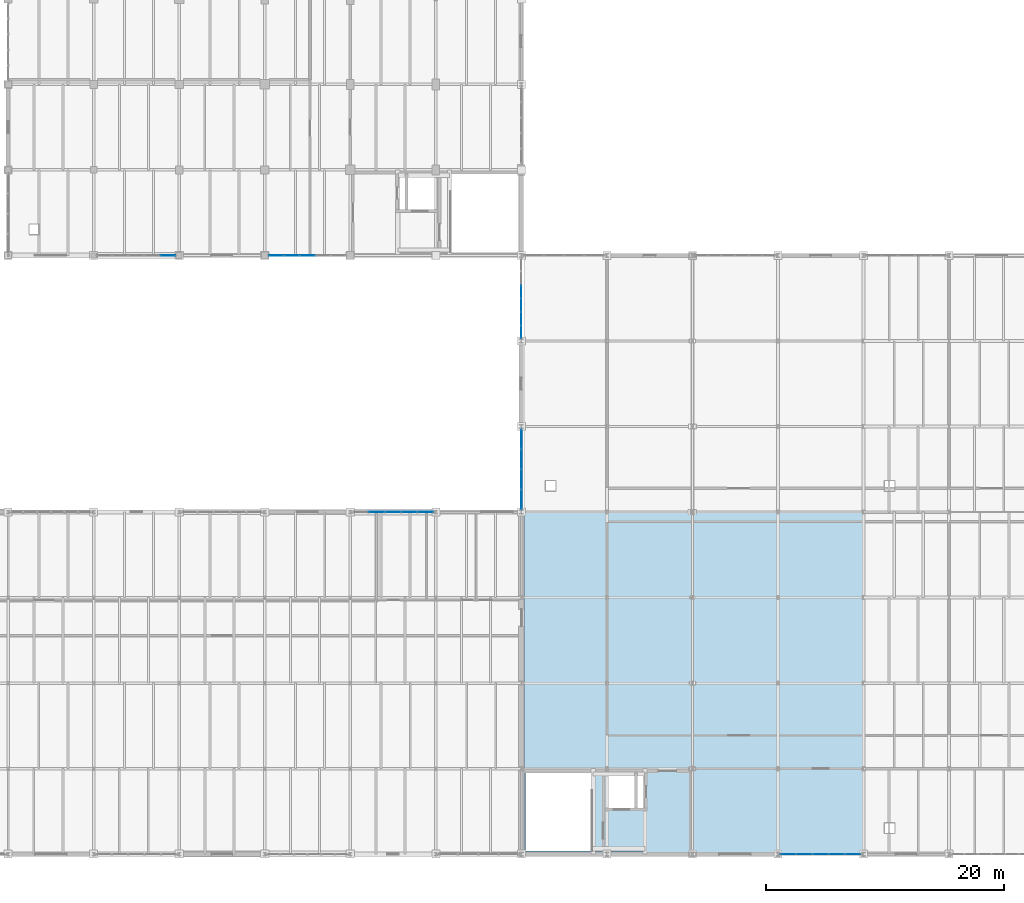
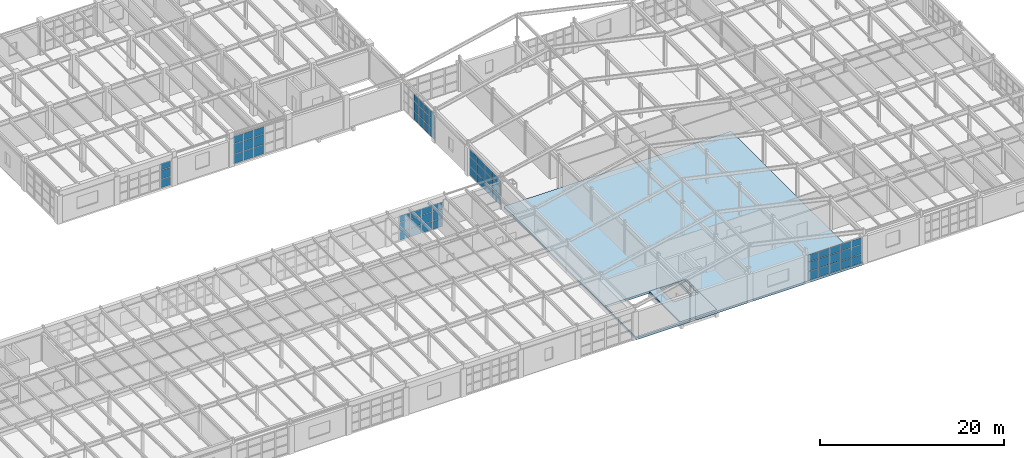
# One storey, part 117 of 137: 63 plates, 2 slabs, 6 elements without a shape of their own.
"""IFC4 building model written with IfcOpenShell, lengths in metres."""

from ifc_helpers import new_model, si_unit, direction, frame, origin, origin_2d, place, context, subcontext, project, spatial, polyline, rectangle, outline, extrude, material, layer, layer_set, type_object, element, aggregate, save


model = new_model("IFC4")

# Units and contexts
model_context = context("Model", 3, precision=1e-05, world=origin(), true_north=direction((0.0, 1.0)))
body_context = subcontext(model_context, "Body", "Model", "MODEL_VIEW")
ifc_project = project(units=[si_unit("LENGTHUNIT", "METRE"), si_unit("AREAUNIT", "SQUARE_METRE"), si_unit("VOLUMEUNIT", "CUBIC_METRE"), si_unit("PLANEANGLEUNIT", "RADIAN"), si_unit("MASSUNIT", "GRAM", prefix="KILO")], contexts=[model_context])

# Site, building, storey
site_placement = place(None, origin())
site = spatial("IfcSite", under=ifc_project, at=site_placement, CompositionType="ELEMENT")
building_placement = place(site_placement, origin())
building = spatial("IfcBuilding", under=site, at=building_placement, Name="Kemerveld Promenade Tramway Depot", CompositionType="ELEMENT")
storey_placement = place(building_placement, frame((0.0, 0.0, 5.39990234375)))
storey = spatial("IfcBuildingStorey", under=building, at=storey_placement, Name="L01", CompositionType="ELEMENT", Elevation=5.39990234375)

# Curtain wall, plates
ifc_material_1 = material(Name="Bronze anodised aluminium and solar glass", Category="aluminium")
ifc_layer_1 = layer(ifc_material_1, 0.199951171875)
ifc_layer_set_1 = layer_set([ifc_layer_1], Name="CW-SYS-04")
curtain_wall_type_1 = type_object("IfcCurtainWallType", Name="CW-SYS-04", PredefinedType="USERDEFINED", material=ifc_layer_set_1)
curtain_wall_1_placement = place(storey_placement, origin())
curtain_wall_1 = element("IfcCurtainWall", 1, at=curtain_wall_1_placement, inside=storey, type_object=curtain_wall_type_1, Name="CW-L01-V2W-01", ObjectType="GLAZED_CURTAIN_WALL", PredefinedType="USERDEFINED")
ifc_material_2 = material(Name="Solar-control laminated double glazing", Category="glass")
ifc_layer_2 = layer(ifc_material_2, 0.031982421875)
ifc_layer_set_2 = layer_set([ifc_layer_2], Name="CW-PNL-04")
plate_type_1 = type_object("IfcPlateType", Name="CW-PNL-04", PredefinedType="CURTAIN_PANEL", material=ifc_layer_set_2)
plate_1_placement = place(storey_placement, frame((158.39990234375, 29.851806640625, 0.06494140625), z_axis=(0.0, 0.0, 1.0), x_axis=(0.0, 1.0, 0.0)))
plate_1 = element("IfcPlate", 2, at=plate_1_placement, type_object=plate_type_1, Name="CW04 panel 1.1", PredefinedType="CURTAIN_PANEL", context=body_context, shape_type="SweptSolid", body=[
    extrude(rectangle(XDim=1.598876953125, YDim=0.031982421875, at=origin_2d()), origin(), (0.0, 0.0, 1.0), 1.138427734375),
])
plate_2_placement = place(storey_placement, frame((158.39990234375, 29.851806640625, 1.2685546875), z_axis=(0.0, 0.0, 1.0), x_axis=(0.0, 1.0, 0.0)))
plate_2 = element("IfcPlate", 3, at=plate_2_placement, type_object=plate_type_1, Name="CW04 panel 1.2", PredefinedType="CURTAIN_PANEL", context=body_context, shape_type="SweptSolid", body=[
    extrude(rectangle(XDim=1.598876953125, YDim=0.031982421875, at=origin_2d()), origin(), (0.0, 0.0, 1.0), 1.241943359375),
])
plate_3_placement = place(storey_placement, frame((158.39990234375, 29.851806640625, 2.57568359375), z_axis=(0.0, 0.0, 1.0), x_axis=(0.0, 1.0, 0.0)))
plate_3 = element("IfcPlate", 4, at=plate_3_placement, type_object=plate_type_1, Name="CW04 panel 1.3", PredefinedType="CURTAIN_PANEL", context=body_context, shape_type="SweptSolid", body=[
    extrude(rectangle(XDim=1.598876953125, YDim=0.031982421875, at=origin_2d()), origin(), (0.0, 0.0, 1.0), 0.89208984375),
])
plate_4_placement = place(storey_placement, frame((158.39990234375, 31.54443359375, 0.06494140625), z_axis=(0.0, 0.0, 1.0), x_axis=(0.0, 1.0, 0.0)))
plate_4 = element("IfcPlate", 5, at=plate_4_placement, type_object=plate_type_1, Name="CW04 panel 2.1", PredefinedType="CURTAIN_PANEL", context=body_context, shape_type="SweptSolid", body=[
    extrude(rectangle(XDim=1.63623046875, YDim=0.031982421875, at=origin_2d()), origin(), (0.0, 0.0, 1.0), 1.138427734375),
])
plate_5_placement = place(storey_placement, frame((158.39990234375, 31.54443359375, 1.2685546875), z_axis=(0.0, 0.0, 1.0), x_axis=(0.0, 1.0, 0.0)))
plate_5 = element("IfcPlate", 6, at=plate_5_placement, type_object=plate_type_1, Name="CW04 panel 2.2", PredefinedType="CURTAIN_PANEL", context=body_context, shape_type="SweptSolid", body=[
    extrude(rectangle(XDim=1.63623046875, YDim=0.031982421875, at=origin_2d()), origin(), (0.0, 0.0, 1.0), 1.241943359375),
])
plate_6_placement = place(storey_placement, frame((158.39990234375, 31.54443359375, 2.57568359375), z_axis=(0.0, 0.0, 1.0), x_axis=(0.0, 1.0, 0.0)))
plate_6 = element("IfcPlate", 7, at=plate_6_placement, type_object=plate_type_1, Name="CW04 panel 2.3", PredefinedType="CURTAIN_PANEL", context=body_context, shape_type="SweptSolid", body=[
    extrude(rectangle(XDim=1.63623046875, YDim=0.031982421875, at=origin_2d()), origin(), (0.0, 0.0, 1.0), 0.89208984375),
])
plate_7_placement = place(storey_placement, frame((158.39990234375, 33.255615234375, 0.06494140625), z_axis=(0.0, 0.0, 1.0), x_axis=(0.0, 1.0, 0.0)))
plate_7 = element("IfcPlate", 8, at=plate_7_placement, type_object=plate_type_1, Name="CW04 panel 3.1", PredefinedType="CURTAIN_PANEL", context=body_context, shape_type="SweptSolid", body=[
    extrude(rectangle(XDim=1.63623046875, YDim=0.031982421875, at=origin_2d()), origin(), (0.0, 0.0, 1.0), 1.138427734375),
])
plate_8_placement = place(storey_placement, frame((158.39990234375, 33.255615234375, 1.2685546875), z_axis=(0.0, 0.0, 1.0), x_axis=(0.0, 1.0, 0.0)))
plate_8 = element("IfcPlate", 9, at=plate_8_placement, type_object=plate_type_1, Name="CW04 panel 3.2", PredefinedType="CURTAIN_PANEL", context=body_context, shape_type="SweptSolid", body=[
    extrude(rectangle(XDim=1.63623046875, YDim=0.031982421875, at=origin_2d()), origin(), (0.0, 0.0, 1.0), 1.241943359375),
])
plate_9_placement = place(storey_placement, frame((158.39990234375, 33.255615234375, 2.57568359375), z_axis=(0.0, 0.0, 1.0), x_axis=(0.0, 1.0, 0.0)))
plate_9 = element("IfcPlate", 10, at=plate_9_placement, type_object=plate_type_1, Name="CW04 panel 3.3", PredefinedType="CURTAIN_PANEL", context=body_context, shape_type="SweptSolid", body=[
    extrude(rectangle(XDim=1.63623046875, YDim=0.031982421875, at=origin_2d()), origin(), (0.0, 0.0, 1.0), 0.89208984375),
])
plate_10_placement = place(storey_placement, frame((158.39990234375, 34.9482421875, 0.06494140625), z_axis=(0.0, 0.0, 1.0), x_axis=(0.0, 1.0, 0.0)))
plate_10 = element("IfcPlate", 11, at=plate_10_placement, type_object=plate_type_1, Name="CW04 panel 4.1", PredefinedType="CURTAIN_PANEL", context=body_context, shape_type="SweptSolid", body=[
    extrude(rectangle(XDim=1.598876953125, YDim=0.031982421875, at=origin_2d()), origin(), (0.0, 0.0, 1.0), 1.138427734375),
])
plate_11_placement = place(storey_placement, frame((158.39990234375, 34.9482421875, 1.2685546875), z_axis=(0.0, 0.0, 1.0), x_axis=(0.0, 1.0, 0.0)))
plate_11 = element("IfcPlate", 12, at=plate_11_placement, type_object=plate_type_1, Name="CW04 panel 4.2", PredefinedType="CURTAIN_PANEL", context=body_context, shape_type="SweptSolid", body=[
    extrude(rectangle(XDim=1.598876953125, YDim=0.031982421875, at=origin_2d()), origin(), (0.0, 0.0, 1.0), 1.241943359375),
])
plate_12_placement = place(storey_placement, frame((158.39990234375, 34.9482421875, 2.57568359375), z_axis=(0.0, 0.0, 1.0), x_axis=(0.0, 1.0, 0.0)))
plate_12 = element("IfcPlate", 13, at=plate_12_placement, type_object=plate_type_1, Name="CW04 panel 4.3", PredefinedType="CURTAIN_PANEL", context=body_context, shape_type="SweptSolid", body=[
    extrude(rectangle(XDim=1.598876953125, YDim=0.031982421875, at=origin_2d()), origin(), (0.0, 0.0, 1.0), 0.89208984375),
])
aggregate(curtain_wall_1, [plate_1, plate_2, plate_3, plate_4, plate_5, plate_6, plate_7, plate_8, plate_9, plate_10, plate_11, plate_12])

ifc_layer_3 = layer(ifc_material_1, 0.199951171875)
ifc_layer_set_3 = layer_set([ifc_layer_3], Name="CW-SYS-06")
curtain_wall_type_2 = type_object("IfcCurtainWallType", Name="CW-SYS-06", PredefinedType="USERDEFINED", material=ifc_layer_set_3)
curtain_wall_2_placement = place(storey_placement, origin())
curtain_wall_2 = element("IfcCurtainWall", 14, at=curtain_wall_2_placement, inside=storey, type_object=curtain_wall_type_2, Name="CW-L01-V3S-03", ObjectType="GLAZED_CURTAIN_WALL", PredefinedType="USERDEFINED")
ifc_layer_4 = layer(ifc_material_2, 0.02587890625)
ifc_layer_set_4 = layer_set([ifc_layer_4], Name="CW-PNL-06")
plate_type_2 = type_object("IfcPlateType", Name="CW-PNL-06", PredefinedType="CURTAIN_PANEL", material=ifc_layer_set_4)
plate_13_placement = place(storey_placement, frame((140.375, 50.39990234375, 0.06494140625), z_axis=(0.0, 0.0, 1.0), x_axis=(-1.0, 0.0, 0.0)))
plate_13 = element("IfcPlate", 15, at=plate_13_placement, type_object=plate_type_2, Name="CW06 panel 3.1", PredefinedType="CURTAIN_PANEL", context=body_context, shape_type="SweptSolid", body=[
    extrude(rectangle(XDim=1.237060546875, YDim=0.02587890625, at=origin_2d()), origin(), (0.0, 0.0, 1.0), 1.215576171875),
])
plate_14_placement = place(storey_placement, frame((140.375, 50.39990234375, 1.345703125), z_axis=(0.0, 0.0, 1.0), x_axis=(-1.0, 0.0, 0.0)))
plate_14 = element("IfcPlate", 16, at=plate_14_placement, type_object=plate_type_2, Name="CW06 panel 3.2", PredefinedType="CURTAIN_PANEL", context=body_context, shape_type="SweptSolid", body=[
    extrude(rectangle(XDim=1.237060546875, YDim=0.02587890625, at=origin_2d()), origin(), (0.0, 0.0, 1.0), 1.322021484375),
])
plate_15_placement = place(storey_placement, frame((140.375, 50.39990234375, 2.732421875), z_axis=(0.0, 0.0, 1.0), x_axis=(-1.0, 0.0, 0.0)))
plate_15 = element("IfcPlate", 17, at=plate_15_placement, type_object=plate_type_2, Name="CW06 panel 3.3", PredefinedType="CURTAIN_PANEL", context=body_context, shape_type="SweptSolid", body=[
    extrude(rectangle(XDim=1.237060546875, YDim=0.02587890625, at=origin_2d()), origin(), (0.0, 0.0, 1.0), 0.952392578125),
])
plate_16_placement = place(storey_placement, frame((139.06298828125, 50.39990234375, 0.06494140625), z_axis=(0.0, 0.0, 1.0), x_axis=(-1.0, 0.0, 0.0)))
plate_16 = element("IfcPlate", 18, at=plate_16_placement, type_object=plate_type_2, Name="CW06 panel 4.1", PredefinedType="CURTAIN_PANEL", context=body_context, shape_type="SweptSolid", body=[
    extrude(rectangle(XDim=1.237060546875, YDim=0.02587890625, at=origin_2d()), origin(), (0.0, 0.0, 1.0), 1.215576171875),
])
plate_17_placement = place(storey_placement, frame((139.06298828125, 50.39990234375, 1.345703125), z_axis=(0.0, 0.0, 1.0), x_axis=(-1.0, 0.0, 0.0)))
plate_17 = element("IfcPlate", 19, at=plate_17_placement, type_object=plate_type_2, Name="CW06 panel 4.2", PredefinedType="CURTAIN_PANEL", context=body_context, shape_type="SweptSolid", body=[
    extrude(rectangle(XDim=1.237060546875, YDim=0.02587890625, at=origin_2d()), origin(), (0.0, 0.0, 1.0), 1.322021484375),
])
plate_18_placement = place(storey_placement, frame((139.06298828125, 50.39990234375, 2.732421875), z_axis=(0.0, 0.0, 1.0), x_axis=(-1.0, 0.0, 0.0)))
plate_18 = element("IfcPlate", 20, at=plate_18_placement, type_object=plate_type_2, Name="CW06 panel 4.3", PredefinedType="CURTAIN_PANEL", context=body_context, shape_type="SweptSolid", body=[
    extrude(rectangle(XDim=1.237060546875, YDim=0.02587890625, at=origin_2d()), origin(), (0.0, 0.0, 1.0), 0.952392578125),
])
plate_19_placement = place(storey_placement, frame((137.769775390625, 50.39990234375, 0.06494140625), z_axis=(0.0, 0.0, 1.0), x_axis=(-1.0, 0.0, 0.0)))
plate_19 = element("IfcPlate", 21, at=plate_19_placement, type_object=plate_type_2, Name="CW06 panel 5.1", PredefinedType="CURTAIN_PANEL", context=body_context, shape_type="SweptSolid", body=[
    extrude(rectangle(XDim=1.199462890625, YDim=0.02587890625, at=origin_2d()), origin(), (0.0, 0.0, 1.0), 1.215576171875),
])
plate_20_placement = place(storey_placement, frame((137.769775390625, 50.39990234375, 1.345703125), z_axis=(0.0, 0.0, 1.0), x_axis=(-1.0, 0.0, 0.0)))
plate_20 = element("IfcPlate", 22, at=plate_20_placement, type_object=plate_type_2, Name="CW06 panel 5.2", PredefinedType="CURTAIN_PANEL", context=body_context, shape_type="SweptSolid", body=[
    extrude(rectangle(XDim=1.199462890625, YDim=0.02587890625, at=origin_2d()), origin(), (0.0, 0.0, 1.0), 1.322021484375),
])
plate_21_placement = place(storey_placement, frame((137.769775390625, 50.39990234375, 2.732421875), z_axis=(0.0, 0.0, 1.0), x_axis=(-1.0, 0.0, 0.0)))
plate_21 = element("IfcPlate", 23, at=plate_21_placement, type_object=plate_type_2, Name="CW06 panel 5.3", PredefinedType="CURTAIN_PANEL", context=body_context, shape_type="SweptSolid", body=[
    extrude(rectangle(XDim=1.199462890625, YDim=0.02587890625, at=origin_2d()), origin(), (0.0, 0.0, 1.0), 0.952392578125),
])
aggregate(curtain_wall_2, [plate_13, plate_14, plate_15, plate_16, plate_17, plate_18, plate_19, plate_20, plate_21])

curtain_wall_3_placement = place(storey_placement, origin())
curtain_wall_3 = element("IfcCurtainWall", 24, at=curtain_wall_3_placement, inside=storey, type_object=curtain_wall_type_2, Name="CW-L01-V2W-03", ObjectType="GLAZED_CURTAIN_WALL", PredefinedType="USERDEFINED")
plate_22_placement = place(storey_placement, frame((158.39990234375, 43.966552734375, 0.06494140625), z_axis=(0.0, 0.0, 1.0), x_axis=(0.0, 1.0, 0.0)))
plate_22 = element("IfcPlate", 25, at=plate_22_placement, type_object=plate_type_2, Name="CW06 panel 1.1", PredefinedType="CURTAIN_PANEL", context=body_context, shape_type="SweptSolid", body=[
    extrude(rectangle(XDim=1.0283203125, YDim=0.02587890625, at=origin_2d()), origin(), (0.0, 0.0, 1.0), 1.138427734375),
])
plate_23_placement = place(storey_placement, frame((158.39990234375, 43.966552734375, 1.2685546875), z_axis=(0.0, 0.0, 1.0), x_axis=(0.0, 1.0, 0.0)))
plate_23 = element("IfcPlate", 26, at=plate_23_placement, type_object=plate_type_2, Name="CW06 panel 1.2", PredefinedType="CURTAIN_PANEL", context=body_context, shape_type="SweptSolid", body=[
    extrude(rectangle(XDim=1.0283203125, YDim=0.02587890625, at=origin_2d()), origin(), (0.0, 0.0, 1.0), 1.241943359375),
])
plate_24_placement = place(storey_placement, frame((158.39990234375, 43.966552734375, 2.57568359375), z_axis=(0.0, 0.0, 1.0), x_axis=(0.0, 1.0, 0.0)))
plate_24 = element("IfcPlate", 27, at=plate_24_placement, type_object=plate_type_2, Name="CW06 panel 1.3", PredefinedType="CURTAIN_PANEL", context=body_context, shape_type="SweptSolid", body=[
    extrude(rectangle(XDim=1.0283203125, YDim=0.02587890625, at=origin_2d()), origin(), (0.0, 0.0, 1.0), 0.89208984375),
])
plate_25_placement = place(storey_placement, frame((158.39990234375, 45.088623046875, 0.06494140625), z_axis=(0.0, 0.0, 1.0), x_axis=(0.0, 1.0, 0.0)))
plate_25 = element("IfcPlate", 28, at=plate_25_placement, type_object=plate_type_2, Name="CW06 panel 2.1", PredefinedType="CURTAIN_PANEL", context=body_context, shape_type="SweptSolid", body=[
    extrude(rectangle(XDim=1.06591796875, YDim=0.02587890625, at=origin_2d()), origin(), (0.0, 0.0, 1.0), 1.138427734375),
])
plate_26_placement = place(storey_placement, frame((158.39990234375, 45.088623046875, 1.2685546875), z_axis=(0.0, 0.0, 1.0), x_axis=(0.0, 1.0, 0.0)))
plate_26 = element("IfcPlate", 29, at=plate_26_placement, type_object=plate_type_2, Name="CW06 panel 2.2", PredefinedType="CURTAIN_PANEL", context=body_context, shape_type="SweptSolid", body=[
    extrude(rectangle(XDim=1.06591796875, YDim=0.02587890625, at=origin_2d()), origin(), (0.0, 0.0, 1.0), 1.241943359375),
])
plate_27_placement = place(storey_placement, frame((158.39990234375, 45.088623046875, 2.57568359375), z_axis=(0.0, 0.0, 1.0), x_axis=(0.0, 1.0, 0.0)))
plate_27 = element("IfcPlate", 30, at=plate_27_placement, type_object=plate_type_2, Name="CW06 panel 2.3", PredefinedType="CURTAIN_PANEL", context=body_context, shape_type="SweptSolid", body=[
    extrude(rectangle(XDim=1.06591796875, YDim=0.02587890625, at=origin_2d()), origin(), (0.0, 0.0, 1.0), 0.89208984375),
])
plate_28_placement = place(storey_placement, frame((158.39990234375, 46.2294921875, 0.06494140625), z_axis=(0.0, 0.0, 1.0), x_axis=(0.0, 1.0, 0.0)))
plate_28 = element("IfcPlate", 31, at=plate_28_placement, type_object=plate_type_2, Name="CW06 panel 3.1", PredefinedType="CURTAIN_PANEL", context=body_context, shape_type="SweptSolid", body=[
    extrude(rectangle(XDim=1.06591796875, YDim=0.02587890625, at=origin_2d()), origin(), (0.0, 0.0, 1.0), 1.138427734375),
])
plate_29_placement = place(storey_placement, frame((158.39990234375, 46.2294921875, 1.2685546875), z_axis=(0.0, 0.0, 1.0), x_axis=(0.0, 1.0, 0.0)))
plate_29 = element("IfcPlate", 32, at=plate_29_placement, type_object=plate_type_2, Name="CW06 panel 3.2", PredefinedType="CURTAIN_PANEL", context=body_context, shape_type="SweptSolid", body=[
    extrude(rectangle(XDim=1.06591796875, YDim=0.02587890625, at=origin_2d()), origin(), (0.0, 0.0, 1.0), 1.241943359375),
])
plate_30_placement = place(storey_placement, frame((158.39990234375, 46.2294921875, 2.57568359375), z_axis=(0.0, 0.0, 1.0), x_axis=(0.0, 1.0, 0.0)))
plate_30 = element("IfcPlate", 33, at=plate_30_placement, type_object=plate_type_2, Name="CW06 panel 3.3", PredefinedType="CURTAIN_PANEL", context=body_context, shape_type="SweptSolid", body=[
    extrude(rectangle(XDim=1.06591796875, YDim=0.02587890625, at=origin_2d()), origin(), (0.0, 0.0, 1.0), 0.89208984375),
])
plate_31_placement = place(storey_placement, frame((158.39990234375, 47.370361328125, 0.06494140625), z_axis=(0.0, 0.0, 1.0), x_axis=(0.0, 1.0, 0.0)))
plate_31 = element("IfcPlate", 34, at=plate_31_placement, type_object=plate_type_2, Name="CW06 panel 4.1", PredefinedType="CURTAIN_PANEL", context=body_context, shape_type="SweptSolid", body=[
    extrude(rectangle(XDim=1.06591796875, YDim=0.02587890625, at=origin_2d()), origin(), (0.0, 0.0, 1.0), 1.138427734375),
])
plate_32_placement = place(storey_placement, frame((158.39990234375, 47.370361328125, 1.2685546875), z_axis=(0.0, 0.0, 1.0), x_axis=(0.0, 1.0, 0.0)))
plate_32 = element("IfcPlate", 35, at=plate_32_placement, type_object=plate_type_2, Name="CW06 panel 4.2", PredefinedType="CURTAIN_PANEL", context=body_context, shape_type="SweptSolid", body=[
    extrude(rectangle(XDim=1.06591796875, YDim=0.02587890625, at=origin_2d()), origin(), (0.0, 0.0, 1.0), 1.241943359375),
])
plate_33_placement = place(storey_placement, frame((158.39990234375, 47.370361328125, 2.57568359375), z_axis=(0.0, 0.0, 1.0), x_axis=(0.0, 1.0, 0.0)))
plate_33 = element("IfcPlate", 36, at=plate_33_placement, type_object=plate_type_2, Name="CW06 panel 4.3", PredefinedType="CURTAIN_PANEL", context=body_context, shape_type="SweptSolid", body=[
    extrude(rectangle(XDim=1.06591796875, YDim=0.02587890625, at=origin_2d()), origin(), (0.0, 0.0, 1.0), 0.89208984375),
])
aggregate(curtain_wall_3, [plate_22, plate_23, plate_24, plate_25, plate_26, plate_27, plate_28, plate_29, plate_30, plate_31, plate_32, plate_33])

ifc_layer_5 = layer(ifc_material_1, 0.199951171875)
ifc_layer_set_5 = layer_set([ifc_layer_5], Name="CW-SYS-02")
curtain_wall_type_3 = type_object("IfcCurtainWallType", Name="CW-SYS-02", PredefinedType="USERDEFINED", material=ifc_layer_set_5)
curtain_wall_4_placement = place(storey_placement, origin())
curtain_wall_4 = element("IfcCurtainWall", 37, at=curtain_wall_4_placement, inside=storey, type_object=curtain_wall_type_3, Name="CW-L01-V4N-13", ObjectType="GLAZED_CURTAIN_WALL", PredefinedType="USERDEFINED")
ifc_layer_6 = layer(ifc_material_2, 0.028076171875)
ifc_layer_set_6 = layer_set([ifc_layer_6], Name="CW-PNL-08")
plate_type_3 = type_object("IfcPlateType", Name="CW-PNL-08", PredefinedType="CURTAIN_PANEL", material=ifc_layer_set_6)
plate_34_placement = place(storey_placement, frame((146.219970703125, 28.800048828125, 0.06494140625), z_axis=(0.0, 0.0, 1.0), x_axis=(1.0, 0.0, 0.0)))
plate_34 = element("IfcPlate", 38, at=plate_34_placement, type_object=plate_type_3, Name="CW02 panel 2.1", PredefinedType="CURTAIN_PANEL", context=body_context, shape_type="SweptSolid", body=[
    extrude(rectangle(XDim=1.304931640625, YDim=0.028076171875, at=origin_2d()), origin(), (0.0, 0.0, 1.0), 1.089599609375),
])
plate_35_placement = place(storey_placement, frame((146.219970703125, 28.800048828125, 1.2197265625), z_axis=(0.0, 0.0, 1.0), x_axis=(1.0, 0.0, 0.0)))
plate_35 = element("IfcPlate", 39, at=plate_35_placement, type_object=plate_type_3, Name="CW02 panel 2.2", PredefinedType="CURTAIN_PANEL", context=body_context, shape_type="SweptSolid", body=[
    extrude(rectangle(XDim=1.304931640625, YDim=0.028076171875, at=origin_2d()), origin(), (0.0, 0.0, 1.0), 1.18896484375),
])
plate_36_placement = place(storey_placement, frame((146.219970703125, 28.800048828125, 2.4736328125), z_axis=(0.0, 0.0, 1.0), x_axis=(1.0, 0.0, 0.0)))
plate_36 = element("IfcPlate", 40, at=plate_36_placement, type_object=plate_type_3, Name="CW02 panel 2.3", PredefinedType="CURTAIN_PANEL", context=body_context, shape_type="SweptSolid", body=[
    extrude(rectangle(XDim=1.304931640625, YDim=0.028076171875, at=origin_2d()), origin(), (0.0, 0.0, 1.0), 0.8515625),
])
plate_37_placement = place(storey_placement, frame((147.599853515625, 28.800048828125, 0.06494140625), z_axis=(0.0, 0.0, 1.0), x_axis=(1.0, 0.0, 0.0)))
plate_37 = element("IfcPlate", 41, at=plate_37_placement, type_object=plate_type_3, Name="CW02 panel 3.1", PredefinedType="CURTAIN_PANEL", context=body_context, shape_type="SweptSolid", body=[
    extrude(rectangle(XDim=1.304931640625, YDim=0.028076171875, at=origin_2d()), origin(), (0.0, 0.0, 1.0), 1.089599609375),
])
plate_38_placement = place(storey_placement, frame((147.599853515625, 28.800048828125, 1.2197265625), z_axis=(0.0, 0.0, 1.0), x_axis=(1.0, 0.0, 0.0)))
plate_38 = element("IfcPlate", 42, at=plate_38_placement, type_object=plate_type_3, Name="CW02 panel 3.2", PredefinedType="CURTAIN_PANEL", context=body_context, shape_type="SweptSolid", body=[
    extrude(rectangle(XDim=1.304931640625, YDim=0.028076171875, at=origin_2d()), origin(), (0.0, 0.0, 1.0), 1.18896484375),
])
plate_39_placement = place(storey_placement, frame((147.599853515625, 28.800048828125, 2.4736328125), z_axis=(0.0, 0.0, 1.0), x_axis=(1.0, 0.0, 0.0)))
plate_39 = element("IfcPlate", 43, at=plate_39_placement, type_object=plate_type_3, Name="CW02 panel 3.3", PredefinedType="CURTAIN_PANEL", context=body_context, shape_type="SweptSolid", body=[
    extrude(rectangle(XDim=1.304931640625, YDim=0.028076171875, at=origin_2d()), origin(), (0.0, 0.0, 1.0), 0.8515625),
])
plate_40_placement = place(storey_placement, frame((148.97998046875, 28.800048828125, 0.06494140625), z_axis=(0.0, 0.0, 1.0), x_axis=(1.0, 0.0, 0.0)))
plate_40 = element("IfcPlate", 44, at=plate_40_placement, type_object=plate_type_3, Name="CW02 panel 4.1", PredefinedType="CURTAIN_PANEL", context=body_context, shape_type="SweptSolid", body=[
    extrude(rectangle(XDim=1.304931640625, YDim=0.028076171875, at=origin_2d()), origin(), (0.0, 0.0, 1.0), 1.089599609375),
])
plate_41_placement = place(storey_placement, frame((148.97998046875, 28.800048828125, 1.2197265625), z_axis=(0.0, 0.0, 1.0), x_axis=(1.0, 0.0, 0.0)))
plate_41 = element("IfcPlate", 45, at=plate_41_placement, type_object=plate_type_3, Name="CW02 panel 4.2", PredefinedType="CURTAIN_PANEL", context=body_context, shape_type="SweptSolid", body=[
    extrude(rectangle(XDim=1.304931640625, YDim=0.028076171875, at=origin_2d()), origin(), (0.0, 0.0, 1.0), 1.18896484375),
])
plate_42_placement = place(storey_placement, frame((148.97998046875, 28.800048828125, 2.4736328125), z_axis=(0.0, 0.0, 1.0), x_axis=(1.0, 0.0, 0.0)))
plate_42 = element("IfcPlate", 46, at=plate_42_placement, type_object=plate_type_3, Name="CW02 panel 4.3", PredefinedType="CURTAIN_PANEL", context=body_context, shape_type="SweptSolid", body=[
    extrude(rectangle(XDim=1.304931640625, YDim=0.028076171875, at=origin_2d()), origin(), (0.0, 0.0, 1.0), 0.8515625),
])
plate_43_placement = place(storey_placement, frame((150.341064453125, 28.800048828125, 0.06494140625), z_axis=(0.0, 0.0, 1.0), x_axis=(1.0, 0.0, 0.0)))
plate_43 = element("IfcPlate", 47, at=plate_43_placement, type_object=plate_type_3, Name="CW02 panel 5.1", PredefinedType="CURTAIN_PANEL", context=body_context, shape_type="SweptSolid", body=[
    extrude(rectangle(XDim=1.267333984375, YDim=0.028076171875, at=origin_2d()), origin(), (0.0, 0.0, 1.0), 1.089599609375),
])
plate_44_placement = place(storey_placement, frame((150.341064453125, 28.800048828125, 1.2197265625), z_axis=(0.0, 0.0, 1.0), x_axis=(1.0, 0.0, 0.0)))
plate_44 = element("IfcPlate", 48, at=plate_44_placement, type_object=plate_type_3, Name="CW02 panel 5.2", PredefinedType="CURTAIN_PANEL", context=body_context, shape_type="SweptSolid", body=[
    extrude(rectangle(XDim=1.267333984375, YDim=0.028076171875, at=origin_2d()), origin(), (0.0, 0.0, 1.0), 1.18896484375),
])
plate_45_placement = place(storey_placement, frame((150.341064453125, 28.800048828125, 2.4736328125), z_axis=(0.0, 0.0, 1.0), x_axis=(1.0, 0.0, 0.0)))
plate_45 = element("IfcPlate", 49, at=plate_45_placement, type_object=plate_type_3, Name="CW02 panel 5.3", PredefinedType="CURTAIN_PANEL", context=body_context, shape_type="SweptSolid", body=[
    extrude(rectangle(XDim=1.267333984375, YDim=0.028076171875, at=origin_2d()), origin(), (0.0, 0.0, 1.0), 0.8515625),
])
aggregate(curtain_wall_4, [plate_34, plate_35, plate_36, plate_37, plate_38, plate_39, plate_40, plate_41, plate_42, plate_43, plate_44, plate_45])

ifc_layer_7 = layer(ifc_material_1, 0.199951171875)
ifc_layer_set_7 = layer_set([ifc_layer_7], Name="CW-SYS-08")
curtain_wall_type_4 = type_object("IfcCurtainWallType", Name="CW-SYS-08", PredefinedType="USERDEFINED", material=ifc_layer_set_7)
curtain_wall_5_placement = place(storey_placement, origin())
curtain_wall_5 = element("IfcCurtainWall", 50, at=curtain_wall_5_placement, inside=storey, type_object=curtain_wall_type_4, Name="CW-L01-V3S-05", ObjectType="GLAZED_CURTAIN_WALL", PredefinedType="USERDEFINED")
plate_46_placement = place(storey_placement, frame((128.642822265625, 50.39990234375, 0.065185546875), z_axis=(0.0, 0.0, 1.0), x_axis=(-1.0, 0.0, 0.0)))
plate_46 = element("IfcPlate", 51, at=plate_46_placement, type_object=plate_type_3, Name="CW08 panel 1.1", PredefinedType="CURTAIN_PANEL", context=body_context, shape_type="SweptSolid", body=[
    extrude(rectangle(XDim=1.224609375, YDim=0.028076171875, at=origin_2d()), origin(), (0.0, 0.0, 1.0), 1.08154296875),
])
plate_47_placement = place(storey_placement, frame((128.642822265625, 50.39990234375, 1.21142578125), z_axis=(0.0, 0.0, 1.0), x_axis=(-1.0, 0.0, 0.0)))
plate_47 = element("IfcPlate", 52, at=plate_47_placement, type_object=plate_type_3, Name="CW08 panel 1.2", PredefinedType="CURTAIN_PANEL", context=body_context, shape_type="SweptSolid", body=[
    extrude(rectangle(XDim=1.224609375, YDim=0.028076171875, at=origin_2d()), origin(), (0.0, 0.0, 1.0), 1.181884765625),
])
plate_48_placement = place(storey_placement, frame((128.642822265625, 50.39990234375, 2.45849609375), z_axis=(0.0, 0.0, 1.0), x_axis=(-1.0, 0.0, 0.0)))
plate_48 = element("IfcPlate", 53, at=plate_48_placement, type_object=plate_type_3, Name="CW08 panel 1.3", PredefinedType="CURTAIN_PANEL", context=body_context, shape_type="SweptSolid", body=[
    extrude(rectangle(XDim=1.224609375, YDim=0.028076171875, at=origin_2d()), origin(), (0.0, 0.0, 1.0), 0.846435546875),
])
aggregate(curtain_wall_5, [plate_46, plate_47, plate_48])

curtain_wall_6_placement = place(storey_placement, origin())
curtain_wall_6 = element("IfcCurtainWall", 54, at=curtain_wall_6_placement, inside=storey, type_object=curtain_wall_type_4, Name="CW-L01-V2S-05", ObjectType="GLAZED_CURTAIN_WALL", PredefinedType="USERDEFINED")
plate_49_placement = place(storey_placement, frame((186.319580078125, 0.0, 0.065185546875), z_axis=(0.0, 0.0, 1.0), x_axis=(-1.0, 0.0, 0.0)))
plate_49 = element("IfcPlate", 55, at=plate_49_placement, type_object=plate_type_3, Name="CW08 panel 1.1", PredefinedType="CURTAIN_PANEL", context=body_context, shape_type="SweptSolid", body=[
    extrude(rectangle(XDim=1.256591796875, YDim=0.028076171875, at=origin_2d()), origin(), (0.0, 0.0, 1.0), 1.12451171875),
])
plate_50_placement = place(storey_placement, frame((186.319580078125, 0.0, 1.254638671875), z_axis=(0.0, 0.0, 1.0), x_axis=(-1.0, 0.0, 0.0)))
plate_50 = element("IfcPlate", 56, at=plate_50_placement, type_object=plate_type_3, Name="CW08 panel 1.2", PredefinedType="CURTAIN_PANEL", context=body_context, shape_type="SweptSolid", body=[
    extrude(rectangle(XDim=1.256591796875, YDim=0.028076171875, at=origin_2d()), origin(), (0.0, 0.0, 1.0), 1.22802734375),
])
plate_51_placement = place(storey_placement, frame((186.319580078125, 0.0, 2.547607421875), z_axis=(0.0, 0.0, 1.0), x_axis=(-1.0, 0.0, 0.0)))
plate_51 = element("IfcPlate", 57, at=plate_51_placement, type_object=plate_type_3, Name="CW08 panel 1.3", PredefinedType="CURTAIN_PANEL", context=body_context, shape_type="SweptSolid", body=[
    extrude(rectangle(XDim=1.256591796875, YDim=0.028076171875, at=origin_2d()), origin(), (0.0, 0.0, 1.0), 0.8798828125),
])
plate_52_placement = place(storey_placement, frame((184.96923828125, 0.0, 0.065185546875), z_axis=(0.0, 0.0, 1.0), x_axis=(-1.0, 0.0, 0.0)))
plate_52 = element("IfcPlate", 58, at=plate_52_placement, type_object=plate_type_3, Name="CW08 panel 2.1", PredefinedType="CURTAIN_PANEL", context=body_context, shape_type="SweptSolid", body=[
    extrude(rectangle(XDim=1.294189453125, YDim=0.028076171875, at=origin_2d()), origin(), (0.0, 0.0, 1.0), 1.12451171875),
])
plate_53_placement = place(storey_placement, frame((184.96923828125, 0.0, 1.254638671875), z_axis=(0.0, 0.0, 1.0), x_axis=(-1.0, 0.0, 0.0)))
plate_53 = element("IfcPlate", 59, at=plate_53_placement, type_object=plate_type_3, Name="CW08 panel 2.2", PredefinedType="CURTAIN_PANEL", context=body_context, shape_type="SweptSolid", body=[
    extrude(rectangle(XDim=1.294189453125, YDim=0.028076171875, at=origin_2d()), origin(), (0.0, 0.0, 1.0), 1.22802734375),
])
plate_54_placement = place(storey_placement, frame((184.96923828125, 0.0, 2.547607421875), z_axis=(0.0, 0.0, 1.0), x_axis=(-1.0, 0.0, 0.0)))
plate_54 = element("IfcPlate", 60, at=plate_54_placement, type_object=plate_type_3, Name="CW08 panel 2.3", PredefinedType="CURTAIN_PANEL", context=body_context, shape_type="SweptSolid", body=[
    extrude(rectangle(XDim=1.294189453125, YDim=0.028076171875, at=origin_2d()), origin(), (0.0, 0.0, 1.0), 0.8798828125),
])
plate_55_placement = place(storey_placement, frame((183.60009765625, 0.0, 0.065185546875), z_axis=(0.0, 0.0, 1.0), x_axis=(-1.0, 0.0, 0.0)))
plate_55 = element("IfcPlate", 61, at=plate_55_placement, type_object=plate_type_3, Name="CW08 panel 3.1", PredefinedType="CURTAIN_PANEL", context=body_context, shape_type="SweptSolid", body=[
    extrude(rectangle(XDim=1.294189453125, YDim=0.028076171875, at=origin_2d()), origin(), (0.0, 0.0, 1.0), 1.12451171875),
])
plate_56_placement = place(storey_placement, frame((183.60009765625, 0.0, 1.254638671875), z_axis=(0.0, 0.0, 1.0), x_axis=(-1.0, 0.0, 0.0)))
plate_56 = element("IfcPlate", 62, at=plate_56_placement, type_object=plate_type_3, Name="CW08 panel 3.2", PredefinedType="CURTAIN_PANEL", context=body_context, shape_type="SweptSolid", body=[
    extrude(rectangle(XDim=1.294189453125, YDim=0.028076171875, at=origin_2d()), origin(), (0.0, 0.0, 1.0), 1.22802734375),
])
plate_57_placement = place(storey_placement, frame((183.60009765625, 0.0, 2.547607421875), z_axis=(0.0, 0.0, 1.0), x_axis=(-1.0, 0.0, 0.0)))
plate_57 = element("IfcPlate", 63, at=plate_57_placement, type_object=plate_type_3, Name="CW08 panel 3.3", PredefinedType="CURTAIN_PANEL", context=body_context, shape_type="SweptSolid", body=[
    extrude(rectangle(XDim=1.294189453125, YDim=0.028076171875, at=origin_2d()), origin(), (0.0, 0.0, 1.0), 0.8798828125),
])
plate_58_placement = place(storey_placement, frame((182.23095703125, 0.0, 0.065185546875), z_axis=(0.0, 0.0, 1.0), x_axis=(-1.0, 0.0, 0.0)))
plate_58 = element("IfcPlate", 64, at=plate_58_placement, type_object=plate_type_3, Name="CW08 panel 4.1", PredefinedType="CURTAIN_PANEL", context=body_context, shape_type="SweptSolid", body=[
    extrude(rectangle(XDim=1.294189453125, YDim=0.028076171875, at=origin_2d()), origin(), (0.0, 0.0, 1.0), 1.12451171875),
])
plate_59_placement = place(storey_placement, frame((182.23095703125, 0.0, 1.254638671875), z_axis=(0.0, 0.0, 1.0), x_axis=(-1.0, 0.0, 0.0)))
plate_59 = element("IfcPlate", 65, at=plate_59_placement, type_object=plate_type_3, Name="CW08 panel 4.2", PredefinedType="CURTAIN_PANEL", context=body_context, shape_type="SweptSolid", body=[
    extrude(rectangle(XDim=1.294189453125, YDim=0.028076171875, at=origin_2d()), origin(), (0.0, 0.0, 1.0), 1.22802734375),
])
plate_60_placement = place(storey_placement, frame((182.23095703125, 0.0, 2.547607421875), z_axis=(0.0, 0.0, 1.0), x_axis=(-1.0, 0.0, 0.0)))
plate_60 = element("IfcPlate", 66, at=plate_60_placement, type_object=plate_type_3, Name="CW08 panel 4.3", PredefinedType="CURTAIN_PANEL", context=body_context, shape_type="SweptSolid", body=[
    extrude(rectangle(XDim=1.294189453125, YDim=0.028076171875, at=origin_2d()), origin(), (0.0, 0.0, 1.0), 0.8798828125),
])
plate_61_placement = place(storey_placement, frame((180.880615234375, 0.0, 0.065185546875), z_axis=(0.0, 0.0, 1.0), x_axis=(-1.0, 0.0, 0.0)))
plate_61 = element("IfcPlate", 67, at=plate_61_placement, type_object=plate_type_3, Name="CW08 panel 5.1", PredefinedType="CURTAIN_PANEL", context=body_context, shape_type="SweptSolid", body=[
    extrude(rectangle(XDim=1.256591796875, YDim=0.028076171875, at=origin_2d()), origin(), (0.0, 0.0, 1.0), 1.12451171875),
])
plate_62_placement = place(storey_placement, frame((180.880615234375, 0.0, 1.254638671875), z_axis=(0.0, 0.0, 1.0), x_axis=(-1.0, 0.0, 0.0)))
plate_62 = element("IfcPlate", 68, at=plate_62_placement, type_object=plate_type_3, Name="CW08 panel 5.2", PredefinedType="CURTAIN_PANEL", context=body_context, shape_type="SweptSolid", body=[
    extrude(rectangle(XDim=1.256591796875, YDim=0.028076171875, at=origin_2d()), origin(), (0.0, 0.0, 1.0), 1.22802734375),
])
plate_63_placement = place(storey_placement, frame((180.880615234375, 0.0, 2.547607421875), z_axis=(0.0, 0.0, 1.0), x_axis=(-1.0, 0.0, 0.0)))
plate_63 = element("IfcPlate", 69, at=plate_63_placement, type_object=plate_type_3, Name="CW08 panel 5.3", PredefinedType="CURTAIN_PANEL", context=body_context, shape_type="SweptSolid", body=[
    extrude(rectangle(XDim=1.256591796875, YDim=0.028076171875, at=origin_2d()), origin(), (0.0, 0.0, 1.0), 0.8798828125),
])
aggregate(curtain_wall_6, [plate_49, plate_50, plate_51, plate_52, plate_53, plate_54, plate_55, plate_56, plate_57, plate_58, plate_59, plate_60, plate_61, plate_62, plate_63])

# Slabs
ifc_material_3 = material(Name="Concrete C40/50", Category="concrete")
ifc_layer_8 = layer(ifc_material_3, 0.219970703125)
ifc_layer_set_8 = layer_set([ifc_layer_8], Name="SL-CORE-220")
slab_type_1 = type_object("IfcSlabType", Name="SL-CORE-220", PredefinedType="FLOOR", material=ifc_layer_set_8)
slab_1_placement = place(storey_placement, frame((0.0, 0.0, -0.219970703125)))
element("IfcSlab", 70, at=slab_1_placement, inside=storey, type_object=slab_type_1, Name="SLB-CORE-C5-L01", PredefinedType="FLOOR", context=body_context, shape_type="SweptSolid", body=[
    extrude(outline(polyline([(164.320068359375, 0.25), (168.949951171875, 0.25), (168.949951171875, 6.949951171875), (164.320068359375, 6.949951171875), (164.320068359375, 0.25)]), holes=[polyline([(165.60009765625, 3.8798828125), (167.949951171875, 3.8798828125), (167.949951171875, 6.8798828125), (165.60009765625, 6.8798828125), (165.60009765625, 3.8798828125)]), polyline([(168.14990234375, 3.8798828125), (168.780029296875, 3.8798828125), (168.780029296875, 6.8798828125), (168.14990234375, 6.8798828125), (168.14990234375, 3.8798828125)])]), origin(), (0.0, 0.0, 1.0), 0.219970703125),
])
ifc_material_4 = material(Name="Concrete C35/45", Category="concrete")
ifc_layer_9 = layer(ifc_material_4, 0.280029296875)
ifc_layer_set_9 = layer_set([ifc_layer_9], Name="SL-FL01")
slab_type_2 = type_object("IfcSlabType", Name="SL-FL01", PredefinedType="FLOOR", material=ifc_layer_set_9)
slab_2_placement = place(storey_placement, frame((0.0, 0.0, -0.27978515625)))
element("IfcSlab", 71, at=slab_2_placement, inside=storey, type_object=slab_type_2, Name="SLB-L01-V2A", PredefinedType="FLOOR", context=body_context, shape_type="SweptSolid", body=[
    extrude(outline(polyline([(158.659912109375, 0.0), (187.199951171875, 0.0), (187.199951171875, 28.800048828125), (158.659912109375, 28.800048828125), (158.659912109375, 0.0)]), holes=[polyline([(158.739990234375, 0.25), (168.949951171875, 0.25), (168.949951171875, 6.949951171875), (158.739990234375, 6.949951171875), (158.739990234375, 0.25)])]), origin(), (0.0, 0.0, 1.0), 0.27978515625),
])

save(model, "model.ifc")
